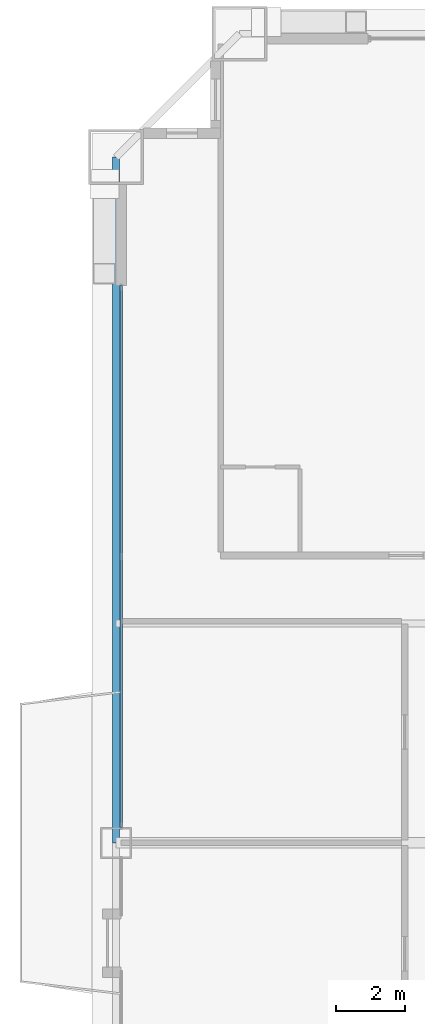
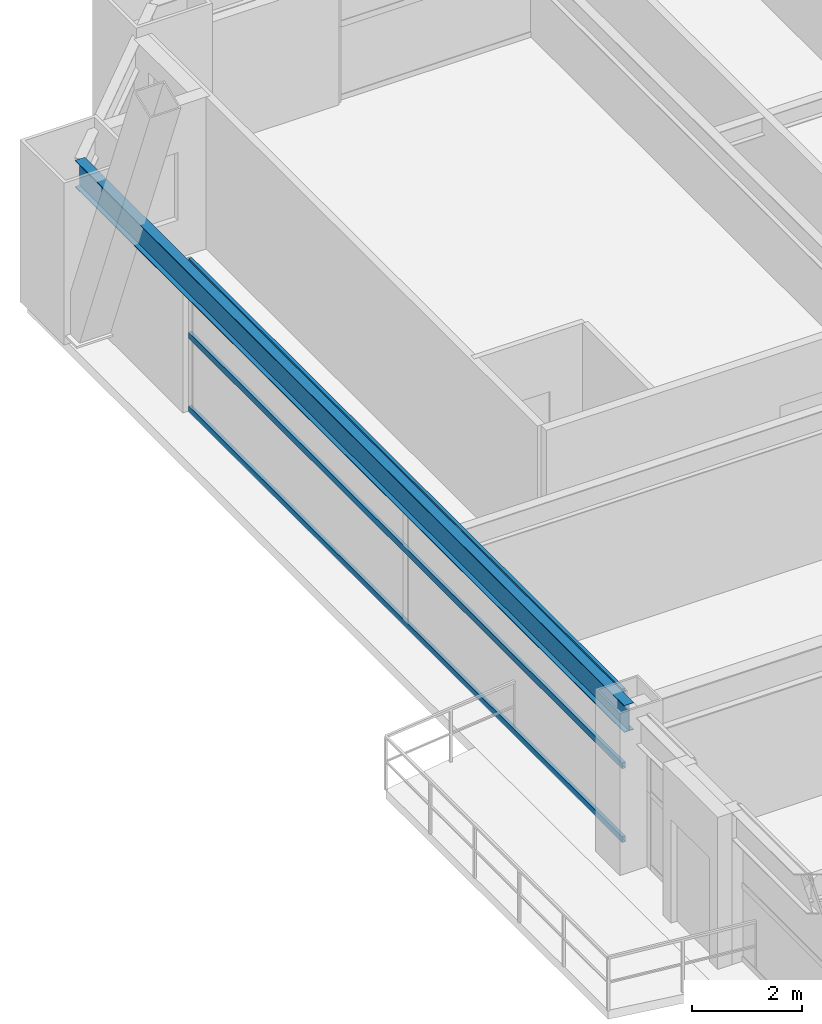
# One storey, part 23 of 42: 3 members, 1 beam, 1 element without a shape of its own.
"""IFC4 building model written with IfcOpenShell, lengths in metres."""

from ifc_helpers import new_model, si_unit, direction, frame, origin, origin_2d, place, context, subcontext, project, spatial, hollow_rectangle, i_section, extrude, source, transform, mapped, material, layer, layer_set, material_profile, profile_set, type_object, element, aggregate, save


model = new_model("IFC4")

# Units and contexts
model_context = context("Model", 3, precision=1e-05, world=origin(), true_north=direction((0.0, 1.0)))
body_context = subcontext(model_context, "Body", "Model", "MODEL_VIEW")
ifc_project = project(units=[si_unit("LENGTHUNIT", "METRE"), si_unit("AREAUNIT", "SQUARE_METRE"), si_unit("VOLUMEUNIT", "CUBIC_METRE"), si_unit("PLANEANGLEUNIT", "RADIAN"), si_unit("MASSUNIT", "GRAM", prefix="KILO"), si_unit("THERMODYNAMICTEMPERATUREUNIT", "KELVIN"), si_unit("POWERUNIT", "WATT")], contexts=[model_context])

# Site, building, storey
site_placement = place(None, origin())
site = spatial("IfcSite", under=ifc_project, at=site_placement, CompositionType="ELEMENT")
building_placement = place(site_placement, origin())
building = spatial("IfcBuilding", under=site, at=building_placement, Name="Yuzanri Waterfront Tower", CompositionType="ELEMENT")
storey_placement = place(building_placement, frame((0.0, 0.0, 145.199951171875)))
storey = spatial("IfcBuildingStorey", under=building, at=storey_placement, Name="L38", CompositionType="ELEMENT", Elevation=145.199951171875)

# Beam
ifc_material_1 = material(Name="Steel Q355B", Category="steel")
ifc_material_profile_1 = material_profile(ifc_material_1, i_section(OverallWidth=0.199951171875, OverallDepth=0.60009765625, WebThickness=0.010986328125, FlangeThickness=0.01708984375, at=origin_2d()), Name="HN 600x200x11x17")
ifc_profile_set_1 = profile_set([ifc_material_profile_1], Name="Steel Q355B")
beam_type = type_object("IfcBeamType", Name="Perimeter Spandrel Q355B HN 600x200", PredefinedType="SPANDREL", material=ifc_profile_set_1)
shared_shape_1 = source(origin(), body_context, "Body", "SweptSolid", [
    extrude(i_section(OverallWidth=0.199951171875, OverallDepth=0.60009765625, WebThickness=0.010986328125, FlangeThickness=0.01708984375, at=origin_2d()), origin(), (0.0, 0.0, 1.0), 20.0),
])
beam_placement = place(storey_placement, frame((13.39990234375, 45.800048828125, 3.080078125), z_axis=(0.0, -1.0, 0.0), x_axis=(1.0, 0.0, 0.0)))
element("IfcBeam", 1, at=beam_placement, inside=storey, type_object=beam_type, Name="L38 Perimeter Spandrel W3-W2", PredefinedType="SPANDREL", context=body_context, shape_type="MappedRepresentation", body=[
    mapped(shared_shape_1, transform((0.0, 0.0, 0.0), scale=1.0)),
])

# Curtain wall, members
ifc_material_2 = material(Name="Anodized Architectural Bronze", Category="metal")
ifc_layer = layer(ifc_material_2, 0.159912109375)
ifc_layer_set = layer_set([ifc_layer], Name="Anodized Architectural Bronze")
curtain_wall_type = type_object("IfcCurtainWallType", Name="Anodized Bronze Hotel Upper-Tier Solar-Control Unitized Curtain Wall 7800", PredefinedType="NOTDEFINED", material=ifc_layer_set)
curtain_wall_placement = place(storey_placement, origin())
curtain_wall = element("IfcCurtainWall", 2, at=curtain_wall_placement, inside=storey, type_object=curtain_wall_type, Name="L38 Curtain Wall CW-L38-WR", PredefinedType="NOTDEFINED")
ifc_material_3 = material(Name="Anodized Architectural Bronze", Category="metal")
ifc_material_profile_2 = material_profile(ifc_material_3, hollow_rectangle(XDim=0.070068359375, YDim=0.135009765625, WallThickness=0.00341796875, at=origin_2d()), Name="CWT 70x135")
ifc_profile_set_2 = profile_set([ifc_material_profile_2], Name="Anodized Architectural Bronze")
member_type = type_object("IfcMemberType", Name="Anodized Bronze Standard Curtain-Wall Transom 70x135", PredefinedType="USERDEFINED", material=ifc_profile_set_2)
shared_shape_2 = source(origin(), body_context, "Body", "SweptSolid", [
    extrude(hollow_rectangle(XDim=0.070068359375, YDim=0.135009765625, WallThickness=0.00341796875, at=origin_2d()), origin(), (0.0, 0.0, 1.0), 15.800048828125),
])
member_1_placement = place(storey_placement, frame((13.550048828125, 26.25, 0.050048828125), z_axis=(0.0, 1.0, 0.0), x_axis=(-1.0, 0.0, 0.0)))
member_1 = element("IfcMember", 3, at=member_1_placement, type_object=member_type, Name="CW-L38-WR Transom 1", ObjectType="TRANSOM", PredefinedType="USERDEFINED", context=body_context, shape_type="MappedRepresentation", body=[
    mapped(shared_shape_2, transform((0.0, 0.0, 0.0), scale=1.0)),
])
member_2_placement = place(storey_placement, frame((13.550048828125, 26.25, 1.68994140625), z_axis=(0.0, 1.0, 0.0), x_axis=(-1.0, 0.0, 0.0)))
member_2 = element("IfcMember", 4, at=member_2_placement, type_object=member_type, Name="CW-L38-WR Transom 2", ObjectType="TRANSOM", PredefinedType="USERDEFINED", context=body_context, shape_type="MappedRepresentation", body=[
    mapped(shared_shape_2, transform((0.0, 0.0, 0.0), scale=1.0)),
])
member_3_placement = place(storey_placement, frame((13.550048828125, 26.25, 3.330078125), z_axis=(0.0, 1.0, 0.0), x_axis=(-1.0, 0.0, 0.0)))
member_3 = element("IfcMember", 5, at=member_3_placement, type_object=member_type, Name="CW-L38-WR Transom 3", ObjectType="TRANSOM", PredefinedType="USERDEFINED", context=body_context, shape_type="MappedRepresentation", body=[
    mapped(shared_shape_2, transform((0.0, 0.0, 0.0), scale=1.0)),
])
aggregate(curtain_wall, [member_1, member_2, member_3])

save(model, "model.ifc")
